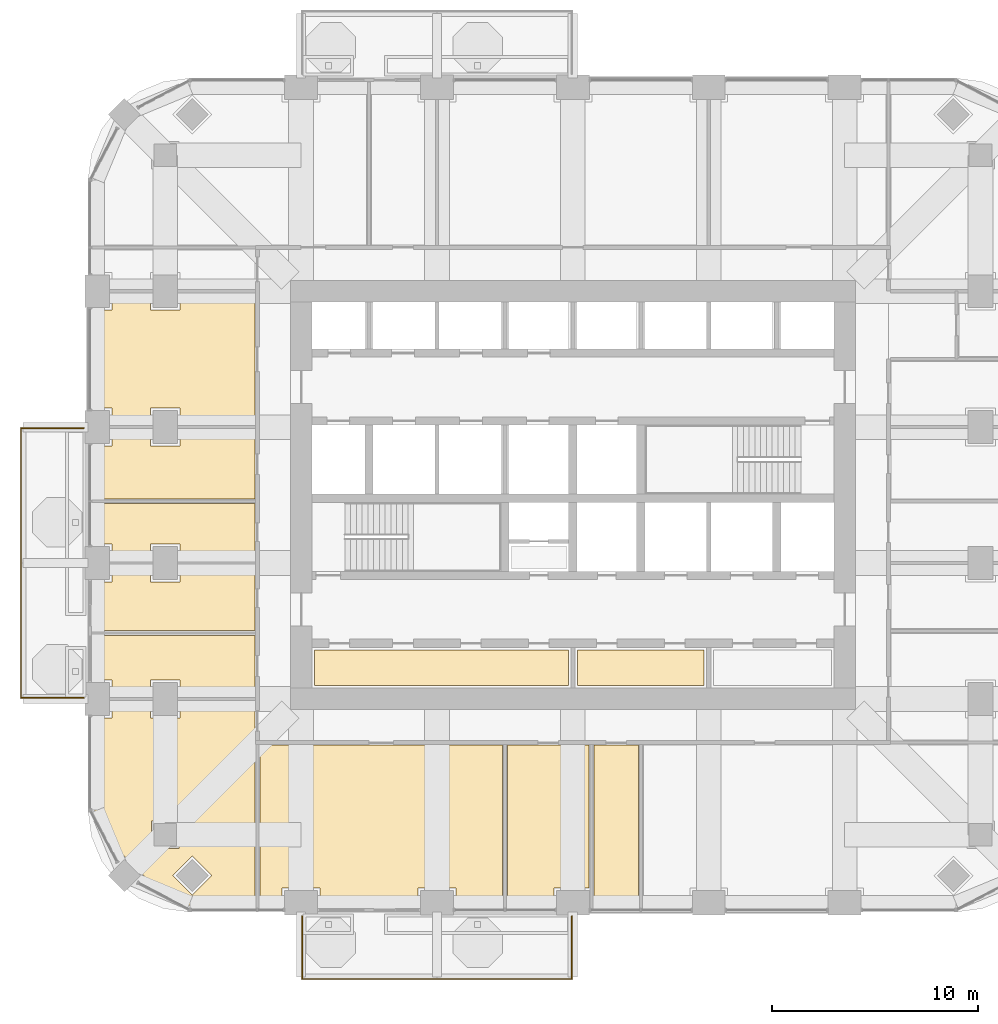
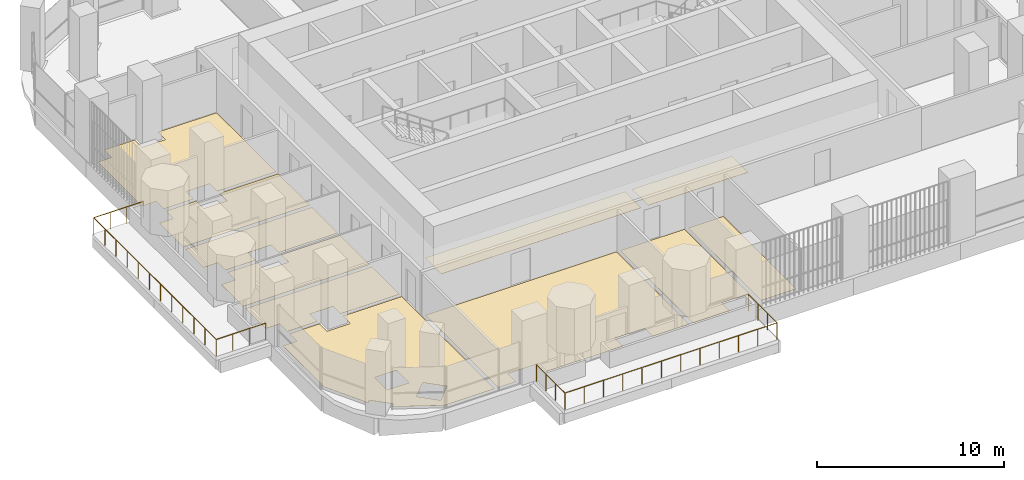
# One storey, part 16 of 20: 11 coverings, 2 railings.
"""IFC4 building model written with IfcOpenShell, lengths in metres."""

import ifcopenshell
import ifcopenshell.guid

model = None  # the IFC model being written
_history = None  # IfcOwnerHistory: only IFC2X3 demands one
_inside = {}  # id of a spatial element -> (the spatial element, [elements in it])
_under = {}  # id of a project, library or spatial element -> (it, [spatial elements below it])
_declared = {}  # id of a project -> (the project, [libraries it declares])
_typed = {}  # id of a type object -> (the type object, [elements of that type])
_made_of = {}  # id of a material, layer set ... -> (it, [elements and type objects made of it])


def new_model(schema):
    """Start an empty IFC model of exactly this schema.

    Asked for "IFC4X3", IfcOpenShell would pick the latest addendum, in which some entities
    have other attributes; the version numbers below select the first issue.
    IFC2X3 requires an IfcOwnerHistory on every rooted entity: one is made here for all.
    """
    global model, _history
    if schema == "IFC4X3":
        model = ifcopenshell.file(schema_version=(4, 3, 0, 0))
    else:
        model = ifcopenshell.file(schema=schema)
    _inside.clear()
    _under.clear()
    _declared.clear()
    _typed.clear()
    _made_of.clear()
    _history = None
    if model.schema == "IFC2X3":
        org = make("IfcOrganization", Name="unknown")
        user = make(
            "IfcPersonAndOrganization",
            ThePerson=make("IfcPerson", FamilyName="unknown"),
            TheOrganization=org,
        )
        app = make(
            "IfcApplication",
            ApplicationDeveloper=org,
            Version="unknown",
            ApplicationFullName="unknown",
            ApplicationIdentifier="unknown",
        )
        _history = make(
            "IfcOwnerHistory",
            OwningUser=user,
            OwningApplication=app,
            ChangeAction="ADDED",
            CreationDate=0,
        )
    return model


def make(cls, **values):
    """One entity of the class cls with the attributes given. An attribute that is None is left unset."""
    return model.create_entity(
        cls, **{name: value for name, value in values.items() if value is not None}
    )


def rooted(cls, **values):
    """An entity with a GlobalId (a new one), such as an element, a storey or a relation."""
    return make(cls, GlobalId=ifcopenshell.guid.new(), OwnerHistory=_history, **values)


def si_unit(unit_type, name, prefix=None):
    """IfcSIUnit, for example si_unit("LENGTHUNIT", "METRE", prefix="MILLI")."""
    return make("IfcSIUnit", UnitType=unit_type, Prefix=prefix, Name=name)


def assignment(units):
    """IfcUnitAssignment: the units of a project."""
    return None if units is None else make("IfcUnitAssignment", Units=units)


def point(xyz):
    """IfcCartesianPoint."""
    return None if xyz is None else make("IfcCartesianPoint", Coordinates=xyz)


def direction(xyz):
    """IfcDirection."""
    return None if xyz is None else make("IfcDirection", DirectionRatios=xyz)


def frame(location, z_axis=None, x_axis=None):
    """IfcAxis2Placement3D, a coordinate frame: its origin and axes. An axis left out is left unset."""
    return make(
        "IfcAxis2Placement3D",
        Location=point(location),
        Axis=direction(z_axis),
        RefDirection=direction(x_axis),
    )


def origin():
    """The frame at (0, 0, 0) with its axes left unset."""
    return frame((0.0, 0.0, 0.0))


def place(relative_to, where):
    """IfcLocalPlacement: puts the frame where relative to a parent placement (None: the world)."""
    return make(
        "IfcLocalPlacement", PlacementRelTo=relative_to, RelativePlacement=where
    )


def context(
    kind, dimensions, precision=None, world=None, true_north=None, identifier=None
):
    """IfcGeometricRepresentationContext, for example the 3D "Model" context."""
    return make(
        "IfcGeometricRepresentationContext",
        ContextIdentifier=identifier,
        ContextType=kind,
        CoordinateSpaceDimension=dimensions,
        Precision=precision,
        WorldCoordinateSystem=world,
        TrueNorth=true_north,
    )


def subcontext(parent, identifier, kind, view, scale=None):
    """IfcGeometricRepresentationSubContext, for example "Body" below "Model"."""
    return make(
        "IfcGeometricRepresentationSubContext",
        ContextIdentifier=identifier,
        ContextType=kind,
        ParentContext=parent,
        TargetScale=scale,
        TargetView=view,
    )


def project(units=None, contexts=None):
    """IfcProject with its units and contexts."""
    return rooted(
        "IfcProject",
        Name="project",
        RepresentationContexts=contexts,
        UnitsInContext=assignment(units),
    )


def spatial(cls, under=None, at=None, **own):
    """A site, building, storey or space (cls), placed at a placement, below another one or the project."""
    s = rooted(cls, ObjectPlacement=at, **own)
    if under is not None:
        _under.setdefault(under.id(), (under, []))[1].append(s)
    return s


def polyline(points):
    """IfcPolyline through the points."""
    return make("IfcPolyline", Points=[point(p) for p in points])


def outline(outer, holes=None, kind="AREA"):
    """IfcArbitraryClosedProfileDef: a profile drawn as a closed curve; with holes, ...WithVoids."""
    if holes is None:
        return make("IfcArbitraryClosedProfileDef", ProfileType=kind, OuterCurve=outer)
    return make(
        "IfcArbitraryProfileDefWithVoids",
        ProfileType=kind,
        OuterCurve=outer,
        InnerCurves=holes,
    )


def extrude(swept, where, along, depth):
    """IfcExtrudedAreaSolid: the profile swept, set in the frame where, extruded along a direction by depth."""
    return make(
        "IfcExtrudedAreaSolid",
        SweptArea=swept,
        Position=where,
        ExtrudedDirection=direction(along),
        Depth=depth,
    )


def shape(context_of_items, identifier, shape_type, items):
    """IfcShapeRepresentation: the items that make up one representation, for example the "Body"."""
    return make(
        "IfcShapeRepresentation",
        ContextOfItems=context_of_items,
        RepresentationIdentifier=identifier,
        RepresentationType=shape_type,
        Items=items,
    )


def material(Name=None, Category=None):
    """IfcMaterial."""
    return make("IfcMaterial", Name=Name, Category=Category)


def layer(
    of_material, thickness, ventilated=None, Name=None, Category=None, Priority=None
):
    """IfcMaterialLayer: one layer of a wall or slab, of a material (None: an air gap)."""
    return make(
        "IfcMaterialLayer",
        Material=of_material,
        LayerThickness=thickness,
        IsVentilated=ventilated,
        Name=Name,
        Category=Category,
        Priority=Priority,
    )


def layer_set(layers, Name=None):
    """IfcMaterialLayerSet."""
    return make("IfcMaterialLayerSet", MaterialLayers=layers, LayerSetName=Name)


def made_of(thing, what):
    """Note that an element or type object is made of a material, layer set ...; save() writes the relation."""
    if what is not None:
        _made_of.setdefault(what.id(), (what, []))[1].append(thing)
    return thing


def type_object(cls, material=None, **own):
    """A type object (cls), such as IfcWallType, which elements share."""
    return made_of(rooted(cls, **own), material)


def element(
    cls,
    number,
    at=None,
    inside=None,
    cuts=None,
    type_object=None,
    material=None,
    context=None,
    identifier="Body",
    shape_type=None,
    held_by="IfcProductDefinitionShape",
    body=None,
    shapes=None,
    **own,
):
    """One element of the class cls, such as IfcWall. Its Tag is "e" and its number.

    at: its placement. inside: the storey or other place that contains it. cuts: it is an
    opening in that element (IfcRelVoidsElement). A single representation is given by context,
    identifier, shape_type and body (its items); several are given by shapes. held_by: the class
    of the entity that holds the representations. save() writes the other relations.
    """
    e = rooted(cls, Tag="e%d" % number, ObjectPlacement=at, **own)
    if body is not None:
        shapes = [shape(context, identifier, shape_type, body)]
    if shapes is not None:
        e.Representation = make(held_by, Representations=shapes)
    if inside is not None:
        _inside.setdefault(inside.id(), (inside, []))[1].append(e)
    if cuts is not None:
        rooted(
            "IfcRelVoidsElement", RelatingBuildingElement=cuts, RelatedOpeningElement=e
        )
    if type_object is not None:
        _typed.setdefault(type_object.id(), (type_object, []))[1].append(e)
    return made_of(e, material)


def aggregate(whole, parts):
    """IfcRelAggregates: a whole, such as a stair, and the parts it consists of."""
    return rooted("IfcRelAggregates", RelatingObject=whole, RelatedObjects=parts)


def save(model, path):
    """Write the relations noted so far, then the file.

    IfcRelAggregates (storeys below a building ...), IfcRelContainedInSpatialStructure (elements
    in a storey), IfcRelDefinesByType, IfcRelAssociatesMaterial and IfcRelDeclares: one each for
    every whole, place, type object, material and project.
    """
    for whole, parts in _under.values():
        aggregate(whole, parts)
    for where, things in _inside.values():
        rooted(
            "IfcRelContainedInSpatialStructure",
            RelatedElements=things,
            RelatingStructure=where,
        )
    for kind, things in _typed.values():
        rooted("IfcRelDefinesByType", RelatedObjects=things, RelatingType=kind)
    for what, things in _made_of.values():
        rooted("IfcRelAssociatesMaterial", RelatedObjects=things, RelatingMaterial=what)
    for by, libraries in _declared.values():
        rooted("IfcRelDeclares", RelatingContext=by, RelatedDefinitions=libraries)
    model.write(path)


model = new_model("IFC4")

# Units and contexts
model_context = context("Model", 3, precision=1e-05, world=origin(), true_north=direction((0.0, 1.0)))
body_context = subcontext(model_context, "Body", "Model", "MODEL_VIEW")
ifc_project = project(units=[si_unit("LENGTHUNIT", "METRE"), si_unit("AREAUNIT", "SQUARE_METRE"), si_unit("VOLUMEUNIT", "CUBIC_METRE"), si_unit("PLANEANGLEUNIT", "RADIAN"), si_unit("MASSUNIT", "GRAM", prefix="KILO")], contexts=[model_context])

# Site, building, storey
site_placement = place(None, origin())
site = spatial("IfcSite", under=ifc_project, at=site_placement, CompositionType="ELEMENT")
building_placement = place(site_placement, origin())
building = spatial("IfcBuilding", under=site, at=building_placement, Name="Cobogo Forest Laboratory Tower", CompositionType="ELEMENT")
storey_placement = place(building_placement, frame((0.0, 0.0, 193.5)))
storey = spatial("IfcBuildingStorey", under=building, at=storey_placement, Name="L44", CompositionType="ELEMENT", Elevation=193.5)

# Railings
ifc_material_1 = material(Name="Laminated glass balustrade", Category="glass")
railing_type = type_object("IfcRailingType", Name="BG1 glass balustrade 1100", PredefinedType="GUARDRAIL", material=ifc_material_1)
railing_1_placement = place(storey_placement, frame((13.25, 2.64990234375, 0.0)))
element("IfcRailing", 1, at=railing_1_placement, inside=storey, type_object=railing_type, Name="Balcony balustrade BAL-S1 L44", PredefinedType="GUARDRAIL", context=body_context, shape_type="SweptSolid", body=[
    extrude(outline(polyline([(0.022216796875, 0.00927734375), (0.00927734375, 0.022216796875), (-0.00927734375, 0.022216796875), (-0.022216796875, 0.00927734375), (-0.022216796875, -0.00927734375), (-0.00927734375, -0.022216796875), (0.00927734375, -0.022216796875), (0.022216796875, -0.00927734375), (0.022216796875, 0.00927734375)])), frame((0.0, 0.0, 1.077880859375), z_axis=(0.0, -1.0, 0.0), x_axis=(1.0, 0.0, 0.0)), (0.0, 0.0, 1.0), 3.0498046875),
    extrude(outline(polyline([(0.022216796875, 0.00927734375), (0.00927734375, 0.022216796875), (-0.00927734375, 0.022216796875), (-0.022216796875, 0.00927734375), (-0.022216796875, -0.00927734375), (-0.00927734375, -0.022216796875), (0.00927734375, -0.022216796875), (0.022216796875, -0.00927734375), (0.022216796875, 0.00927734375)])), frame((0.0, -3.0498046875, 1.077880859375), z_axis=(1.0, 0.0, 0.0), x_axis=(0.0, 1.0, 0.0)), (0.0, 0.0, 1.0), 13.10009765625),
    extrude(outline(polyline([(0.022216796875, 0.00927734375), (0.00927734375, 0.022216796875), (-0.00927734375, 0.022216796875), (-0.022216796875, 0.00927734375), (-0.022216796875, -0.00927734375), (-0.00927734375, -0.022216796875), (0.00927734375, -0.022216796875), (0.022216796875, -0.00927734375), (0.022216796875, 0.00927734375)])), frame((13.10009765625, -3.0498046875, 1.077880859375), z_axis=(0.0, 1.0, 0.0), x_axis=(-1.0, 0.0, 0.0)), (0.0, 0.0, 1.0), 3.0498046875),
    extrude(outline(polyline([(0.019287109375, 0.008056640625), (0.008056640625, 0.019287109375), (-0.008056640625, 0.019287109375), (-0.019287109375, 0.008056640625), (-0.019287109375, -0.008056640625), (-0.008056640625, -0.019287109375), (0.008056640625, -0.019287109375), (0.019287109375, -0.008056640625), (0.019287109375, 0.008056640625)])), origin(), (0.0, 0.0, 1.0), 1.077880859375),
    extrude(outline(polyline([(0.019287109375, 0.008056640625), (0.008056640625, 0.019287109375), (-0.008056640625, 0.019287109375), (-0.019287109375, 0.008056640625), (-0.019287109375, -0.008056640625), (-0.008056640625, -0.019287109375), (0.008056640625, -0.019287109375), (0.019287109375, -0.008056640625), (0.019287109375, 0.008056640625)])), frame((0.0, -1.0166015625, 0.0)), (0.0, 0.0, 1.0), 1.077880859375),
    extrude(outline(polyline([(0.019287109375, 0.008056640625), (0.008056640625, 0.019287109375), (-0.008056640625, 0.019287109375), (-0.019287109375, 0.008056640625), (-0.019287109375, -0.008056640625), (-0.008056640625, -0.019287109375), (0.008056640625, -0.019287109375), (0.019287109375, -0.008056640625), (0.019287109375, 0.008056640625)])), frame((0.0, -2.033203125, 0.0)), (0.0, 0.0, 1.0), 1.077880859375),
    extrude(outline(polyline([(0.019287109375, 0.008056640625), (0.008056640625, 0.019287109375), (-0.008056640625, 0.019287109375), (-0.019287109375, 0.008056640625), (-0.019287109375, -0.008056640625), (-0.008056640625, -0.019287109375), (0.008056640625, -0.019287109375), (0.019287109375, -0.008056640625), (0.019287109375, 0.008056640625)])), frame((0.0, -3.0498046875, 0.0)), (0.0, 0.0, 1.0), 1.077880859375),
    extrude(outline(polyline([(0.019287109375, 0.008056640625), (0.008056640625, 0.019287109375), (-0.008056640625, 0.019287109375), (-0.019287109375, 0.008056640625), (-0.019287109375, -0.008056640625), (-0.008056640625, -0.019287109375), (0.008056640625, -0.019287109375), (0.019287109375, -0.008056640625), (0.019287109375, 0.008056640625)])), frame((1.19091796875, -3.0498046875, 0.0)), (0.0, 0.0, 1.0), 1.077880859375),
    extrude(outline(polyline([(0.019287109375, 0.008056640625), (0.008056640625, 0.019287109375), (-0.008056640625, 0.019287109375), (-0.019287109375, 0.008056640625), (-0.019287109375, -0.008056640625), (-0.008056640625, -0.019287109375), (0.008056640625, -0.019287109375), (0.019287109375, -0.008056640625), (0.019287109375, 0.008056640625)])), frame((2.3818359375, -3.0498046875, 0.0)), (0.0, 0.0, 1.0), 1.077880859375),
    extrude(outline(polyline([(0.019287109375, 0.008056640625), (0.008056640625, 0.019287109375), (-0.008056640625, 0.019287109375), (-0.019287109375, 0.008056640625), (-0.019287109375, -0.008056640625), (-0.008056640625, -0.019287109375), (0.008056640625, -0.019287109375), (0.019287109375, -0.008056640625), (0.019287109375, 0.008056640625)])), frame((3.57275390625, -3.0498046875, 0.0)), (0.0, 0.0, 1.0), 1.077880859375),
    extrude(outline(polyline([(0.019287109375, 0.008056640625), (0.008056640625, 0.019287109375), (-0.008056640625, 0.019287109375), (-0.019287109375, 0.008056640625), (-0.019287109375, -0.008056640625), (-0.008056640625, -0.019287109375), (0.008056640625, -0.019287109375), (0.019287109375, -0.008056640625), (0.019287109375, 0.008056640625)])), frame((4.763671875, -3.0498046875, 0.0)), (0.0, 0.0, 1.0), 1.077880859375),
    extrude(outline(polyline([(0.019287109375, 0.008056640625), (0.008056640625, 0.019287109375), (-0.008056640625, 0.019287109375), (-0.019287109375, 0.008056640625), (-0.019287109375, -0.008056640625), (-0.008056640625, -0.019287109375), (0.008056640625, -0.019287109375), (0.019287109375, -0.008056640625), (0.019287109375, 0.008056640625)])), frame((5.95458984375, -3.0498046875, 0.0)), (0.0, 0.0, 1.0), 1.077880859375),
    extrude(outline(polyline([(0.019287109375, 0.008056640625), (0.008056640625, 0.019287109375), (-0.008056640625, 0.019287109375), (-0.019287109375, 0.008056640625), (-0.019287109375, -0.008056640625), (-0.008056640625, -0.019287109375), (0.008056640625, -0.019287109375), (0.019287109375, -0.008056640625), (0.019287109375, 0.008056640625)])), frame((7.1455078125, -3.0498046875, 0.0)), (0.0, 0.0, 1.0), 1.077880859375),
    extrude(outline(polyline([(0.019287109375, 0.008056640625), (0.008056640625, 0.019287109375), (-0.008056640625, 0.019287109375), (-0.019287109375, 0.008056640625), (-0.019287109375, -0.008056640625), (-0.008056640625, -0.019287109375), (0.008056640625, -0.019287109375), (0.019287109375, -0.008056640625), (0.019287109375, 0.008056640625)])), frame((8.33642578125, -3.0498046875, 0.0)), (0.0, 0.0, 1.0), 1.077880859375),
    extrude(outline(polyline([(0.019287109375, 0.008056640625), (0.008056640625, 0.019287109375), (-0.008056640625, 0.019287109375), (-0.019287109375, 0.008056640625), (-0.019287109375, -0.008056640625), (-0.008056640625, -0.019287109375), (0.008056640625, -0.019287109375), (0.019287109375, -0.008056640625), (0.019287109375, 0.008056640625)])), frame((9.52734375, -3.0498046875, 0.0)), (0.0, 0.0, 1.0), 1.077880859375),
    extrude(outline(polyline([(0.019287109375, 0.008056640625), (0.008056640625, 0.019287109375), (-0.008056640625, 0.019287109375), (-0.019287109375, 0.008056640625), (-0.019287109375, -0.008056640625), (-0.008056640625, -0.019287109375), (0.008056640625, -0.019287109375), (0.019287109375, -0.008056640625), (0.019287109375, 0.008056640625)])), frame((10.71826171875, -3.0498046875, 0.0)), (0.0, 0.0, 1.0), 1.077880859375),
    extrude(outline(polyline([(0.019287109375, 0.008056640625), (0.008056640625, 0.019287109375), (-0.008056640625, 0.019287109375), (-0.019287109375, 0.008056640625), (-0.019287109375, -0.008056640625), (-0.008056640625, -0.019287109375), (0.008056640625, -0.019287109375), (0.019287109375, -0.008056640625), (0.019287109375, 0.008056640625)])), frame((11.9091796875, -3.0498046875, 0.0)), (0.0, 0.0, 1.0), 1.077880859375),
    extrude(outline(polyline([(0.019287109375, 0.008056640625), (0.008056640625, 0.019287109375), (-0.008056640625, 0.019287109375), (-0.019287109375, 0.008056640625), (-0.019287109375, -0.008056640625), (-0.008056640625, -0.019287109375), (0.008056640625, -0.019287109375), (0.019287109375, -0.008056640625), (0.019287109375, 0.008056640625)])), frame((13.10009765625, -3.0498046875, 0.0)), (0.0, 0.0, 1.0), 1.077880859375),
    extrude(outline(polyline([(0.019287109375, 0.008056640625), (0.008056640625, 0.019287109375), (-0.008056640625, 0.019287109375), (-0.019287109375, 0.008056640625), (-0.019287109375, -0.008056640625), (-0.008056640625, -0.019287109375), (0.008056640625, -0.019287109375), (0.019287109375, -0.008056640625), (0.019287109375, 0.008056640625)])), frame((13.10009765625, -2.033203125, 0.0)), (0.0, 0.0, 1.0), 1.077880859375),
    extrude(outline(polyline([(0.019287109375, 0.008056640625), (0.008056640625, 0.019287109375), (-0.008056640625, 0.019287109375), (-0.019287109375, 0.008056640625), (-0.019287109375, -0.008056640625), (-0.008056640625, -0.019287109375), (0.008056640625, -0.019287109375), (0.019287109375, -0.008056640625), (0.019287109375, 0.008056640625)])), frame((13.10009765625, -1.0166015625, 0.0)), (0.0, 0.0, 1.0), 1.077880859375),
    extrude(outline(polyline([(0.019287109375, 0.008056640625), (0.008056640625, 0.019287109375), (-0.008056640625, 0.019287109375), (-0.019287109375, 0.008056640625), (-0.019287109375, -0.008056640625), (-0.008056640625, -0.019287109375), (0.008056640625, -0.019287109375), (0.019287109375, -0.008056640625), (0.019287109375, 0.008056640625)])), frame((13.10009765625, 0.0, 0.0)), (0.0, 0.0, 1.0), 1.077880859375),
])
railing_2_placement = place(storey_placement, frame((2.64990234375, 13.25, 0.0)))
element("IfcRailing", 2, at=railing_2_placement, inside=storey, type_object=railing_type, Name="Balcony balustrade BAL-W1 L44", PredefinedType="GUARDRAIL", context=body_context, shape_type="SweptSolid", body=[
    extrude(outline(polyline([(0.022216796875, 0.00927734375), (0.00927734375, 0.022216796875), (-0.00927734375, 0.022216796875), (-0.022216796875, 0.00927734375), (-0.022216796875, -0.00927734375), (-0.00927734375, -0.022216796875), (0.00927734375, -0.022216796875), (0.022216796875, -0.00927734375), (0.022216796875, 0.00927734375)])), frame((0.0, 0.0, 1.077880859375), z_axis=(-1.0, 0.0, 0.0), x_axis=(0.0, -1.0, 0.0)), (0.0, 0.0, 1.0), 3.0498046875),
    extrude(outline(polyline([(0.022216796875, 0.00927734375), (0.00927734375, 0.022216796875), (-0.00927734375, 0.022216796875), (-0.022216796875, 0.00927734375), (-0.022216796875, -0.00927734375), (-0.00927734375, -0.022216796875), (0.00927734375, -0.022216796875), (0.022216796875, -0.00927734375), (0.022216796875, 0.00927734375)])), frame((-3.0498046875, 0.0, 1.077880859375), z_axis=(0.0, 1.0, 0.0), x_axis=(-1.0, 0.0, 0.0)), (0.0, 0.0, 1.0), 13.10009765625),
    extrude(outline(polyline([(0.022216796875, 0.00927734375), (0.00927734375, 0.022216796875), (-0.00927734375, 0.022216796875), (-0.022216796875, 0.00927734375), (-0.022216796875, -0.00927734375), (-0.00927734375, -0.022216796875), (0.00927734375, -0.022216796875), (0.022216796875, -0.00927734375), (0.022216796875, 0.00927734375)])), frame((-3.0498046875, 13.10009765625, 1.077880859375), z_axis=(1.0, 0.0, 0.0), x_axis=(0.0, 1.0, 0.0)), (0.0, 0.0, 1.0), 3.0498046875),
    extrude(outline(polyline([(0.019287109375, 0.008056640625), (0.008056640625, 0.019287109375), (-0.008056640625, 0.019287109375), (-0.019287109375, 0.008056640625), (-0.019287109375, -0.008056640625), (-0.008056640625, -0.019287109375), (0.008056640625, -0.019287109375), (0.019287109375, -0.008056640625), (0.019287109375, 0.008056640625)])), origin(), (0.0, 0.0, 1.0), 1.077880859375),
    extrude(outline(polyline([(0.019287109375, 0.008056640625), (0.008056640625, 0.019287109375), (-0.008056640625, 0.019287109375), (-0.019287109375, 0.008056640625), (-0.019287109375, -0.008056640625), (-0.008056640625, -0.019287109375), (0.008056640625, -0.019287109375), (0.019287109375, -0.008056640625), (0.019287109375, 0.008056640625)])), frame((-1.0166015625, 0.0, 0.0)), (0.0, 0.0, 1.0), 1.077880859375),
    extrude(outline(polyline([(0.019287109375, 0.008056640625), (0.008056640625, 0.019287109375), (-0.008056640625, 0.019287109375), (-0.019287109375, 0.008056640625), (-0.019287109375, -0.008056640625), (-0.008056640625, -0.019287109375), (0.008056640625, -0.019287109375), (0.019287109375, -0.008056640625), (0.019287109375, 0.008056640625)])), frame((-2.033203125, 0.0, 0.0)), (0.0, 0.0, 1.0), 1.077880859375),
    extrude(outline(polyline([(0.019287109375, 0.008056640625), (0.008056640625, 0.019287109375), (-0.008056640625, 0.019287109375), (-0.019287109375, 0.008056640625), (-0.019287109375, -0.008056640625), (-0.008056640625, -0.019287109375), (0.008056640625, -0.019287109375), (0.019287109375, -0.008056640625), (0.019287109375, 0.008056640625)])), frame((-3.0498046875, 0.0, 0.0)), (0.0, 0.0, 1.0), 1.077880859375),
    extrude(outline(polyline([(0.019287109375, 0.008056640625), (0.008056640625, 0.019287109375), (-0.008056640625, 0.019287109375), (-0.019287109375, 0.008056640625), (-0.019287109375, -0.008056640625), (-0.008056640625, -0.019287109375), (0.008056640625, -0.019287109375), (0.019287109375, -0.008056640625), (0.019287109375, 0.008056640625)])), frame((-3.0498046875, 1.19091796875, 0.0)), (0.0, 0.0, 1.0), 1.077880859375),
    extrude(outline(polyline([(0.019287109375, 0.008056640625), (0.008056640625, 0.019287109375), (-0.008056640625, 0.019287109375), (-0.019287109375, 0.008056640625), (-0.019287109375, -0.008056640625), (-0.008056640625, -0.019287109375), (0.008056640625, -0.019287109375), (0.019287109375, -0.008056640625), (0.019287109375, 0.008056640625)])), frame((-3.0498046875, 2.3818359375, 0.0)), (0.0, 0.0, 1.0), 1.077880859375),
    extrude(outline(polyline([(0.019287109375, 0.008056640625), (0.008056640625, 0.019287109375), (-0.008056640625, 0.019287109375), (-0.019287109375, 0.008056640625), (-0.019287109375, -0.008056640625), (-0.008056640625, -0.019287109375), (0.008056640625, -0.019287109375), (0.019287109375, -0.008056640625), (0.019287109375, 0.008056640625)])), frame((-3.0498046875, 3.57275390625, 0.0)), (0.0, 0.0, 1.0), 1.077880859375),
    extrude(outline(polyline([(0.019287109375, 0.008056640625), (0.008056640625, 0.019287109375), (-0.008056640625, 0.019287109375), (-0.019287109375, 0.008056640625), (-0.019287109375, -0.008056640625), (-0.008056640625, -0.019287109375), (0.008056640625, -0.019287109375), (0.019287109375, -0.008056640625), (0.019287109375, 0.008056640625)])), frame((-3.0498046875, 4.763671875, 0.0)), (0.0, 0.0, 1.0), 1.077880859375),
    extrude(outline(polyline([(0.019287109375, 0.008056640625), (0.008056640625, 0.019287109375), (-0.008056640625, 0.019287109375), (-0.019287109375, 0.008056640625), (-0.019287109375, -0.008056640625), (-0.008056640625, -0.019287109375), (0.008056640625, -0.019287109375), (0.019287109375, -0.008056640625), (0.019287109375, 0.008056640625)])), frame((-3.0498046875, 5.95458984375, 0.0)), (0.0, 0.0, 1.0), 1.077880859375),
    extrude(outline(polyline([(0.019287109375, 0.008056640625), (0.008056640625, 0.019287109375), (-0.008056640625, 0.019287109375), (-0.019287109375, 0.008056640625), (-0.019287109375, -0.008056640625), (-0.008056640625, -0.019287109375), (0.008056640625, -0.019287109375), (0.019287109375, -0.008056640625), (0.019287109375, 0.008056640625)])), frame((-3.0498046875, 7.1455078125, 0.0)), (0.0, 0.0, 1.0), 1.077880859375),
    extrude(outline(polyline([(0.019287109375, 0.008056640625), (0.008056640625, 0.019287109375), (-0.008056640625, 0.019287109375), (-0.019287109375, 0.008056640625), (-0.019287109375, -0.008056640625), (-0.008056640625, -0.019287109375), (0.008056640625, -0.019287109375), (0.019287109375, -0.008056640625), (0.019287109375, 0.008056640625)])), frame((-3.0498046875, 8.33642578125, 0.0)), (0.0, 0.0, 1.0), 1.077880859375),
    extrude(outline(polyline([(0.019287109375, 0.008056640625), (0.008056640625, 0.019287109375), (-0.008056640625, 0.019287109375), (-0.019287109375, 0.008056640625), (-0.019287109375, -0.008056640625), (-0.008056640625, -0.019287109375), (0.008056640625, -0.019287109375), (0.019287109375, -0.008056640625), (0.019287109375, 0.008056640625)])), frame((-3.0498046875, 9.52734375, 0.0)), (0.0, 0.0, 1.0), 1.077880859375),
    extrude(outline(polyline([(0.019287109375, 0.008056640625), (0.008056640625, 0.019287109375), (-0.008056640625, 0.019287109375), (-0.019287109375, 0.008056640625), (-0.019287109375, -0.008056640625), (-0.008056640625, -0.019287109375), (0.008056640625, -0.019287109375), (0.019287109375, -0.008056640625), (0.019287109375, 0.008056640625)])), frame((-3.0498046875, 10.71826171875, 0.0)), (0.0, 0.0, 1.0), 1.077880859375),
    extrude(outline(polyline([(0.019287109375, 0.008056640625), (0.008056640625, 0.019287109375), (-0.008056640625, 0.019287109375), (-0.019287109375, 0.008056640625), (-0.019287109375, -0.008056640625), (-0.008056640625, -0.019287109375), (0.008056640625, -0.019287109375), (0.019287109375, -0.008056640625), (0.019287109375, 0.008056640625)])), frame((-3.0498046875, 11.9091796875, 0.0)), (0.0, 0.0, 1.0), 1.077880859375),
    extrude(outline(polyline([(0.019287109375, 0.008056640625), (0.008056640625, 0.019287109375), (-0.008056640625, 0.019287109375), (-0.019287109375, 0.008056640625), (-0.019287109375, -0.008056640625), (-0.008056640625, -0.019287109375), (0.008056640625, -0.019287109375), (0.019287109375, -0.008056640625), (0.019287109375, 0.008056640625)])), frame((-3.0498046875, 13.10009765625, 0.0)), (0.0, 0.0, 1.0), 1.077880859375),
    extrude(outline(polyline([(0.019287109375, 0.008056640625), (0.008056640625, 0.019287109375), (-0.008056640625, 0.019287109375), (-0.019287109375, 0.008056640625), (-0.019287109375, -0.008056640625), (-0.008056640625, -0.019287109375), (0.008056640625, -0.019287109375), (0.019287109375, -0.008056640625), (0.019287109375, 0.008056640625)])), frame((-2.033203125, 13.10009765625, 0.0)), (0.0, 0.0, 1.0), 1.077880859375),
    extrude(outline(polyline([(0.019287109375, 0.008056640625), (0.008056640625, 0.019287109375), (-0.008056640625, 0.019287109375), (-0.019287109375, 0.008056640625), (-0.019287109375, -0.008056640625), (-0.008056640625, -0.019287109375), (0.008056640625, -0.019287109375), (0.019287109375, -0.008056640625), (0.019287109375, 0.008056640625)])), frame((-1.0166015625, 13.10009765625, 0.0)), (0.0, 0.0, 1.0), 1.077880859375),
    extrude(outline(polyline([(0.019287109375, 0.008056640625), (0.008056640625, 0.019287109375), (-0.008056640625, 0.019287109375), (-0.019287109375, 0.008056640625), (-0.019287109375, -0.008056640625), (-0.008056640625, -0.019287109375), (0.008056640625, -0.019287109375), (0.019287109375, -0.008056640625), (0.019287109375, 0.008056640625)])), frame((0.0, 13.10009765625, 0.0)), (0.0, 0.0, 1.0), 1.077880859375),
])

# Coverings
ifc_material_2 = material(Name="Carpet tile on raised access floor", Category="flooring")
ifc_layer_1 = layer(ifc_material_2, 0.008056640625)
ifc_layer_set_1 = layer_set([ifc_layer_1], Name="CT1 carpet tile floor 8")
covering_type_1 = type_object("IfcCoveringType", Name="CT1 carpet tile floor 8", PredefinedType="FLOORING", material=ifc_layer_set_1)
covering_1_placement = place(storey_placement, origin())
element("IfcCovering", 3, at=covering_1_placement, inside=storey, type_object=covering_type_1, Name="Carpet floor L44-02", PredefinedType="FLOORING", context=body_context, shape_type="SweptSolid", body=[
    extrude(outline(polyline([(27.179931640625, 4.02001953125), (25.47998046875, 4.02001953125), (25.47998046875, 3.14990234375), (23.219970703125, 3.14990234375), (23.219970703125, 10.955078125), (27.179931640625, 10.955078125), (27.179931640625, 4.02001953125)])), origin(), (0.0, 0.0, 1.0), 0.008056640625),
])
covering_2_placement = place(storey_placement, origin())
element("IfcCovering", 4, at=covering_2_placement, inside=storey, type_object=covering_type_1, Name="Carpet floor L44-16", PredefinedType="FLOORING", context=body_context, shape_type="SweptSolid", body=[
    extrude(outline(polyline([(10.955078125, 3.14990234375), (7.84912109375, 3.14990234375), (5.387939453125, 4.440185546875), (5.5654296875, 4.617919921875), (4.617919921875, 5.5654296875), (4.440185546875, 5.387939453125), (3.14990234375, 7.84912109375), (3.14990234375, 12.280029296875), (4.02001953125, 12.280029296875), (4.02001953125, 13.080078125), (5.8798828125, 13.080078125), (5.8798828125, 12.280029296875), (7.320068359375, 12.280029296875), (7.320068359375, 13.080078125), (10.955078125, 13.080078125), (10.955078125, 3.14990234375)]), holes=[polyline([(7.91796875, 3.67041015625), (8.865478515625, 4.617919921875), (7.91796875, 5.5654296875), (6.970458984375, 4.617919921875), (7.91796875, 3.67041015625)]), polyline([(5.929931640625, 5.929931640625), (7.27001953125, 5.929931640625), (7.27001953125, 7.27001953125), (5.929931640625, 7.27001953125), (5.929931640625, 5.929931640625)])]), origin(), (0.0, 0.0, 1.0), 0.008056640625),
])
covering_3_placement = place(storey_placement, origin())
element("IfcCovering", 5, at=covering_3_placement, inside=storey, type_object=covering_type_1, Name="Carpet floor L44-31", PredefinedType="FLOORING", context=body_context, shape_type="SweptSolid", body=[
    extrude(outline(polyline([(26.179931640625, 13.844970703125), (13.844970703125, 13.844970703125), (13.844970703125, 15.580078125), (26.179931640625, 15.580078125), (26.179931640625, 13.844970703125)])), origin(), (0.0, 0.0, 1.0), 0.008056640625),
])
ifc_material_3 = material(Name="Static-dissipative vinyl flooring", Category="flooring")
ifc_layer_2 = layer(ifc_material_3, 0.0029296875)
ifc_layer_set_2 = layer_set([ifc_layer_2], Name="SD1 static-dissipative vinyl floor 3")
covering_type_2 = type_object("IfcCoveringType", Name="SD1 static-dissipative vinyl floor 3", PredefinedType="FLOORING", material=ifc_layer_set_2)
covering_4_placement = place(storey_placement, origin())
element("IfcCovering", 6, at=covering_4_placement, inside=storey, type_object=covering_type_2, Name="Static-dissipative floor L44-01", PredefinedType="FLOORING", context=body_context, shape_type="SweptSolid", body=[
    extrude(outline(polyline([(22.97998046875, 10.955078125), (22.97998046875, 3.14990234375), (20.719970703125, 3.14990234375), (20.719970703125, 4.02001953125), (18.8798828125, 4.02001953125), (18.8798828125, 3.14990234375), (14.1201171875, 3.14990234375), (14.1201171875, 4.02001953125), (12.280029296875, 4.02001953125), (12.280029296875, 3.14990234375), (11.195068359375, 3.14990234375), (11.195068359375, 10.955078125), (22.97998046875, 10.955078125)])), origin(), (0.0, 0.0, 1.0), 0.0029296875),
])
covering_5_placement = place(storey_placement, origin())
element("IfcCovering", 7, at=covering_5_placement, inside=storey, type_object=covering_type_2, Name="Static-dissipative floor L44-21", PredefinedType="FLOORING", context=body_context, shape_type="SweptSolid", body=[
    extrude(outline(polyline([(10.955078125, 26.52001953125), (7.320068359375, 26.52001953125), (7.320068359375, 27.320068359375), (5.8798828125, 27.320068359375), (5.8798828125, 26.52001953125), (4.02001953125, 26.52001953125), (4.02001953125, 27.320068359375), (3.14990234375, 27.320068359375), (3.14990234375, 32.080078125), (4.02001953125, 32.080078125), (4.02001953125, 32.8798828125), (5.8798828125, 32.8798828125), (5.8798828125, 32.080078125), (7.320068359375, 32.080078125), (7.320068359375, 32.8798828125), (10.955078125, 32.8798828125), (10.955078125, 26.52001953125)])), origin(), (0.0, 0.0, 1.0), 0.0029296875),
])
ifc_material_4 = material(Name="Ceramic floor tile", Category="flooring")
ifc_layer_3 = layer(ifc_material_4, 0.010009765625)
ifc_layer_set_3 = layer_set([ifc_layer_3], Name="TF1 ceramic tile floor 10")
covering_type_3 = type_object("IfcCoveringType", Name="TF1 ceramic tile floor 10", PredefinedType="FLOORING", material=ifc_layer_set_3)
covering_6_placement = place(storey_placement, origin())
element("IfcCovering", 8, at=covering_6_placement, inside=storey, type_object=covering_type_3, Name="Tile floor L44-03", PredefinedType="FLOORING", context=body_context, shape_type="SweptSolid", body=[
    extrude(outline(polyline([(27.419921875, 10.955078125), (29.580078125, 10.955078125), (29.580078125, 3.14990234375), (27.419921875, 3.14990234375), (27.419921875, 10.955078125)])), origin(), (0.0, 0.0, 1.0), 0.010009765625),
])
covering_7_placement = place(storey_placement, origin())
element("IfcCovering", 9, at=covering_7_placement, inside=storey, type_object=covering_type_3, Name="Tile floor L44-17", PredefinedType="FLOORING", context=body_context, shape_type="SweptSolid", body=[
    extrude(outline(polyline([(10.955078125, 13.320068359375), (7.320068359375, 13.320068359375), (7.320068359375, 14.1201171875), (5.8798828125, 14.1201171875), (5.8798828125, 13.320068359375), (4.02001953125, 13.320068359375), (4.02001953125, 14.1201171875), (3.14990234375, 14.1201171875), (3.14990234375, 16.280029296875), (10.955078125, 16.280029296875), (10.955078125, 13.320068359375)])), origin(), (0.0, 0.0, 1.0), 0.010009765625),
])
covering_8_placement = place(storey_placement, origin())
element("IfcCovering", 10, at=covering_8_placement, inside=storey, type_object=covering_type_3, Name="Tile floor L44-18", PredefinedType="FLOORING", context=body_context, shape_type="SweptSolid", body=[
    extrude(outline(polyline([(10.955078125, 16.52001953125), (3.14990234375, 16.52001953125), (3.14990234375, 18.8798828125), (4.02001953125, 18.8798828125), (4.02001953125, 19.679931640625), (5.8798828125, 19.679931640625), (5.8798828125, 18.8798828125), (7.320068359375, 18.8798828125), (7.320068359375, 19.679931640625), (10.955078125, 19.679931640625), (10.955078125, 16.52001953125)])), origin(), (0.0, 0.0, 1.0), 0.010009765625),
])
covering_9_placement = place(storey_placement, origin())
element("IfcCovering", 11, at=covering_9_placement, inside=storey, type_object=covering_type_3, Name="Tile floor L44-19", PredefinedType="FLOORING", context=body_context, shape_type="SweptSolid", body=[
    extrude(outline(polyline([(10.955078125, 19.919921875), (7.320068359375, 19.919921875), (7.320068359375, 20.719970703125), (5.8798828125, 20.719970703125), (5.8798828125, 19.919921875), (4.02001953125, 19.919921875), (4.02001953125, 20.719970703125), (3.14990234375, 20.719970703125), (3.14990234375, 22.679931640625), (10.955078125, 22.679931640625), (10.955078125, 19.919921875)])), origin(), (0.0, 0.0, 1.0), 0.010009765625),
])
covering_10_placement = place(storey_placement, origin())
element("IfcCovering", 12, at=covering_10_placement, inside=storey, type_object=covering_type_3, Name="Tile floor L44-20", PredefinedType="FLOORING", context=body_context, shape_type="SweptSolid", body=[
    extrude(outline(polyline([(10.955078125, 22.919921875), (3.14990234375, 22.919921875), (3.14990234375, 25.47998046875), (4.02001953125, 25.47998046875), (4.02001953125, 26.280029296875), (5.8798828125, 26.280029296875), (5.8798828125, 25.47998046875), (7.320068359375, 25.47998046875), (7.320068359375, 26.280029296875), (10.955078125, 26.280029296875), (10.955078125, 22.919921875)])), origin(), (0.0, 0.0, 1.0), 0.010009765625),
])
covering_11_placement = place(storey_placement, origin())
element("IfcCovering", 13, at=covering_11_placement, inside=storey, type_object=covering_type_3, Name="Tile floor L44-32", PredefinedType="FLOORING", context=body_context, shape_type="SweptSolid", body=[
    extrude(outline(polyline([(32.780029296875, 13.844970703125), (26.6201171875, 13.844970703125), (26.6201171875, 15.580078125), (32.780029296875, 15.580078125), (32.780029296875, 13.844970703125)])), origin(), (0.0, 0.0, 1.0), 0.010009765625),
])

save(model, "model.ifc")
